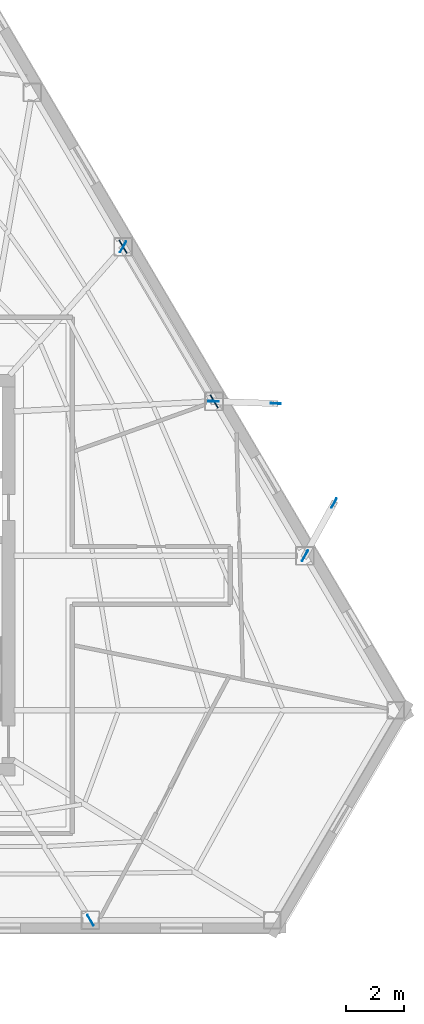
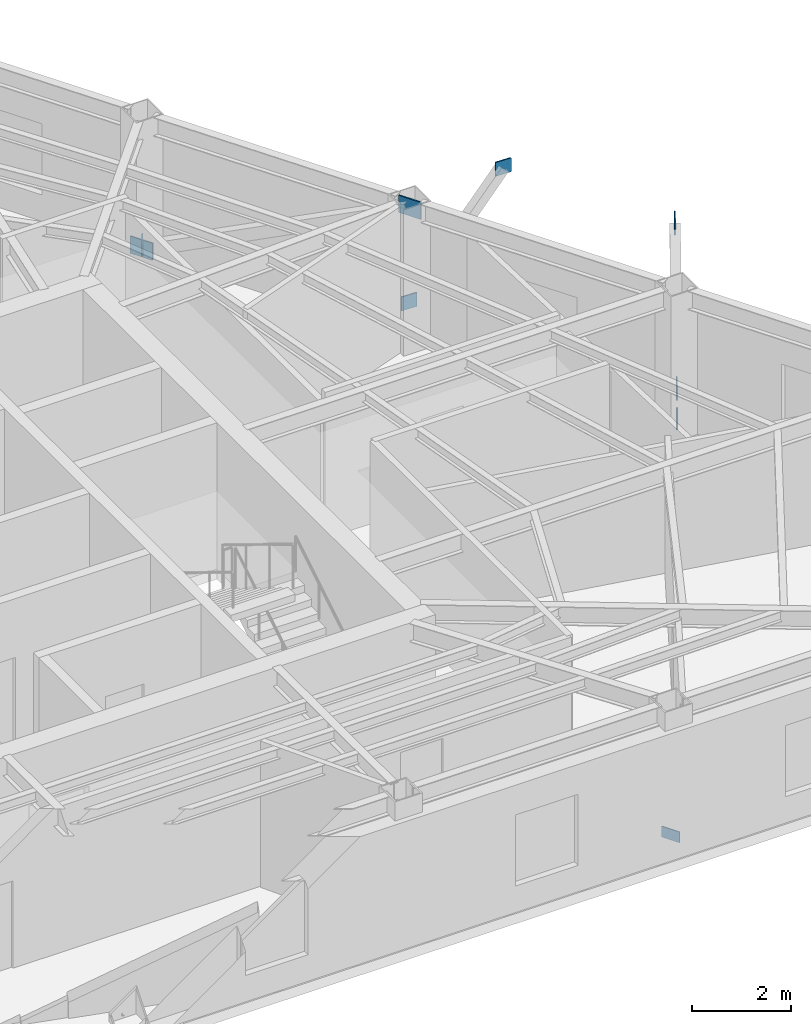
# One storey, part 5 of 12: 9 plates.
"""IFC4 building model written with IfcOpenShell, lengths in metres."""

from ifc_helpers import new_model, si_unit, direction, frame, origin, origin_2d, place, context, subcontext, project, spatial, rectangle, extrude, material, layer, layer_set, type_object, element, save


model = new_model("IFC4")

# Units and contexts
model_context = context("Model", 3, precision=1e-05, world=origin(), true_north=direction((0.0, 1.0)))
body_context = subcontext(model_context, "Body", "Model", "MODEL_VIEW")
ifc_project = project(units=[si_unit("LENGTHUNIT", "METRE"), si_unit("AREAUNIT", "SQUARE_METRE"), si_unit("VOLUMEUNIT", "CUBIC_METRE"), si_unit("PLANEANGLEUNIT", "RADIAN"), si_unit("MASSUNIT", "GRAM", prefix="KILO")], contexts=[model_context])

# Site, building, storey
site_placement = place(None, origin())
site = spatial("IfcSite", under=ifc_project, at=site_placement, CompositionType="ELEMENT")
building_placement = place(site_placement, origin())
building = spatial("IfcBuilding", under=site, at=building_placement, Name="Kavelnor Concourse Tower", CompositionType="ELEMENT")
storey_placement = place(building_placement, frame((0.0, 0.0, 203.5)))
storey = spatial("IfcBuildingStorey", under=building, at=storey_placement, Name="L51", CompositionType="ELEMENT", Elevation=203.5)

# Plates
ifc_material = material(Name="Steel Grade 350", Category="steel")
ifc_layer_1 = layer(ifc_material, 0.028076171875, Name="Steel Grade 350")
ifc_layer_set_1 = layer_set([ifc_layer_1], Name="Steel Grade 350")
plate_type_1 = type_object("IfcPlateType", Name="PL-GUSSET-FOLD", PredefinedType="USERDEFINED", material=ifc_layer_set_1)
for number, where, z_axis, x_axis, name in (
    (1, (57.97119140625, 16.76220703125, 0.8798828125), (0.0, 0.0, 1.0), (0.483740709141, 0.875211360941, 0.0), "L51 Balcony Strut Gusset GP4 2-A End Gusset A"),
    (2, (58.983642578125, 18.593994140625, 3.48486328125), (0.0, 0.0, 1.0), (0.483740709141, 0.875211360941, 0.0), "L51 Balcony Strut Gusset GP4 2-A End Gusset B"),
    (3, (54.824462890625, 22.110107421875, 0.8798828125), (0.0, 0.0, 1.0), (0.999390827019, -0.034899496703, 0.0), "L51 Balcony Strut Gusset GP4 2-B End Gusset A"),
    (4, (56.969482421875, 22.035400390625, 3.48486328125), (0.0, 0.0, 1.0), (0.999390827019, -0.034899496703, 0.0), "L51 Balcony Strut Gusset GP4 2-B End Gusset B"),
):
    element("IfcPlate", number, at=place(storey_placement, frame(where, z_axis=z_axis, x_axis=x_axis)), inside=storey, type_object=plate_type_1, Name=name, ObjectType="GUSSET_PLATE", PredefinedType="USERDEFINED", context=body_context, shape_type="SweptSolid", body=[
        extrude(rectangle(XDim=0.360107421875, YDim=0.028076171875, at=origin_2d()), origin(), (0.0, 0.0, 1.0), 0.340087890625),
    ])
ifc_layer_2 = layer(ifc_material, 0.031982421875, Name="Steel Grade 350")
ifc_layer_set_2 = layer_set([ifc_layer_2], Name="Steel Grade 350")
plate_type_2 = type_object("IfcPlateType", Name="PL-GUSSET-TUBE-Z1", PredefinedType="USERDEFINED", material=ifc_layer_set_2)
for number, where, z_axis, x_axis, name in (
    (5, (51.689697265625, 27.45703125, 0.010009765625), (0.0, 0.0, 1.0), (0.507087145436, -0.861894788785, 0.0), "L51 Tube Brace Gusset GP3 F2-B2 End Gusset A"),
    (6, (54.842529296875, 22.099609375, 3.16015625), (0.0, 0.0, 1.0), (0.507087145436, -0.861894788785, 0.0), "L51 Tube Brace Gusset GP3 F2-B2 End Gusset B"),
):
    element("IfcPlate", number, at=place(storey_placement, frame(where, z_axis=z_axis, x_axis=x_axis)), inside=storey, type_object=plate_type_2, Name=name, ObjectType="GUSSET_PLATE", PredefinedType="USERDEFINED", context=body_context, shape_type="SweptSolid", body=[
        extrude(rectangle(XDim=0.52001953125, YDim=0.031982421875, at=origin_2d()), origin(), (0.0, 0.0, 1.0), 0.419921875),
    ])
ifc_layer_3 = layer(ifc_material, 0.02490234375, Name="Steel Grade 350")
ifc_layer_set_3 = layer_set([ifc_layer_3], Name="Steel Grade 350")
plate_type_3 = type_object("IfcPlateType", Name="PL-SPLICE-FLANGE", PredefinedType="SHEET", material=ifc_layer_set_3)
for number, where, z_axis, x_axis, name in (
    (7, (50.5673828125, 4.185302734375, 0.169921875), (0.0, 0.0, 1.0), (-0.5, 0.866025403784, 0.0), "L51 Column Flange Splice Plate F1-B5"),
    (8, (57.976806640625, 16.772705078125, 0.169921875), (0.0, 0.0, 1.0), (-0.5, -0.866025403784, 0.0), "L51 Column Flange Splice Plate F2-B1"),
    (9, (51.69580078125, 27.44677734375, 0.169921875), (0.0, 0.0, 1.0), (-0.5, -0.866025403784, 0.0), "L51 Column Flange Splice Plate F2-B3"),
):
    element("IfcPlate", number, at=place(storey_placement, frame(where, z_axis=z_axis, x_axis=x_axis)), inside=storey, type_object=plate_type_3, Name=name, PredefinedType="SHEET", context=body_context, shape_type="SweptSolid", body=[
        extrude(rectangle(XDim=0.419921875, YDim=0.02490234375, at=origin_2d()), origin(), (0.0, 0.0, 1.0), 0.260009765625),
    ])

save(model, "model.ifc")
